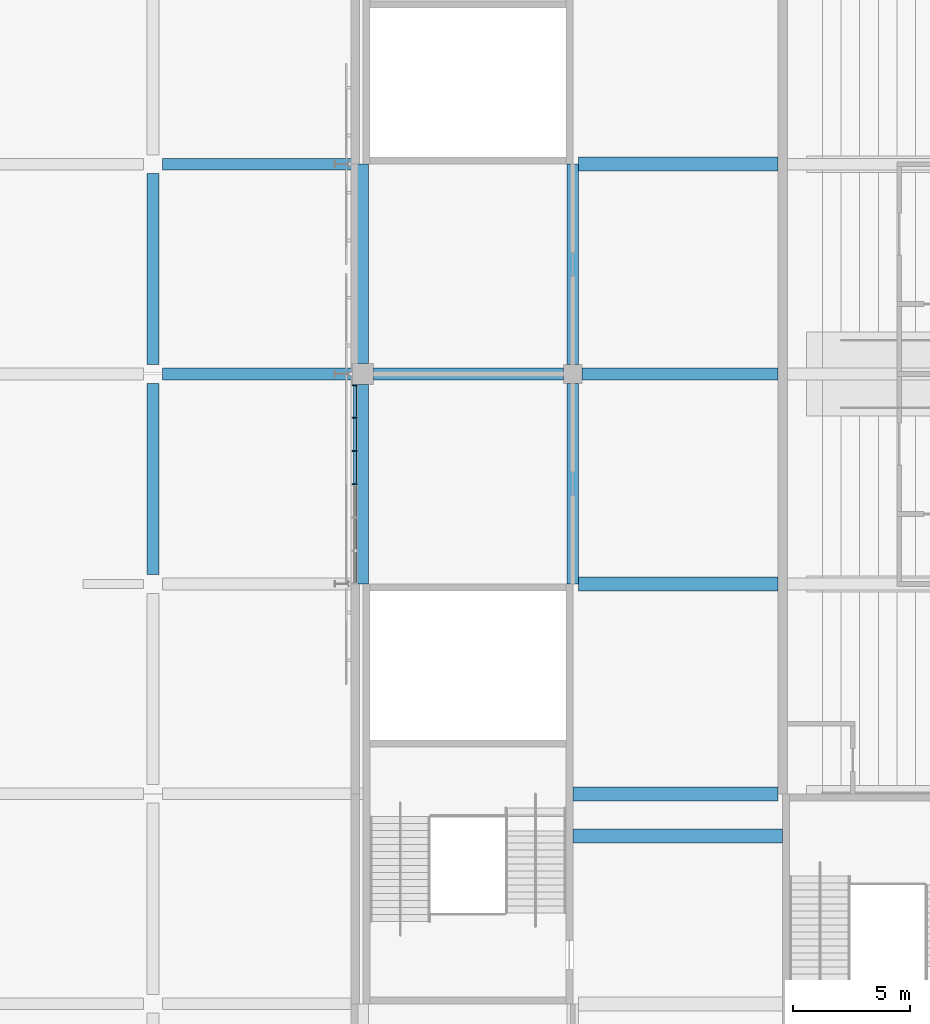
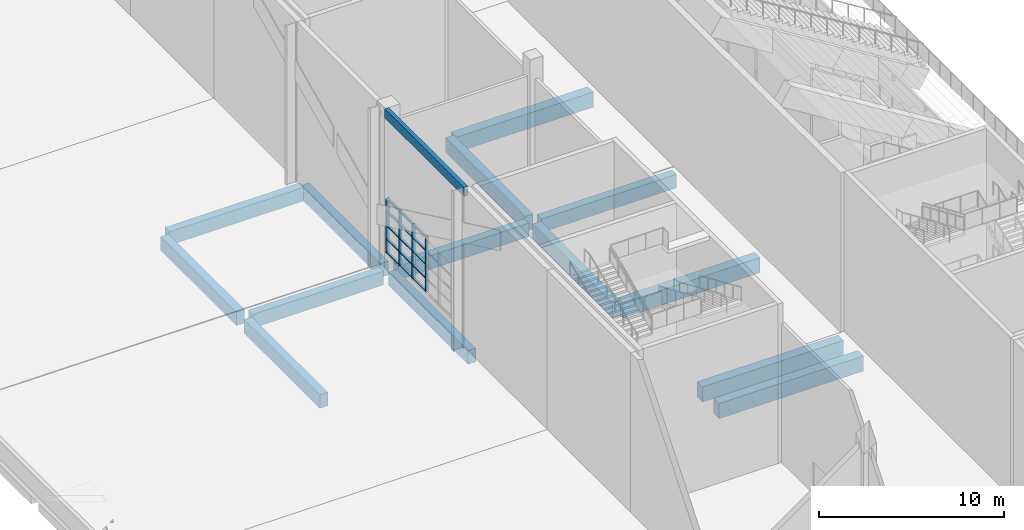
# One storey, part 28 of 182: 19 members, 15 beams, 1 element without a shape of its own.
"""IFC4 building model written with IfcOpenShell, lengths in metres."""

from ifc_helpers import new_model, si_unit, direction, frame, origin, origin_2d, place, context, subcontext, project, spatial, rectangle, extrude, material, material_profile, profile_set, type_object, element, aggregate, save


model = new_model("IFC4")

# Units and contexts
model_context = context("Model", 3, precision=1e-05, world=origin(), true_north=direction((0.0, 1.0)))
body_context = subcontext(model_context, "Body", "Model", "MODEL_VIEW")
ifc_project = project(units=[si_unit("LENGTHUNIT", "METRE"), si_unit("AREAUNIT", "SQUARE_METRE"), si_unit("VOLUMEUNIT", "CUBIC_METRE"), si_unit("PLANEANGLEUNIT", "RADIAN"), si_unit("MASSUNIT", "GRAM", prefix="KILO")], contexts=[model_context])

# Site, building, storey
site_placement = place(None, origin())
site = spatial("IfcSite", under=ifc_project, at=site_placement, CompositionType="ELEMENT")
building_placement = place(site_placement, origin())
building = spatial("IfcBuilding", under=site, at=building_placement, Name="Silverbay Arena", CompositionType="ELEMENT")
storey_placement = place(building_placement, frame((0.0, 0.0, 11.5)))
storey = spatial("IfcBuildingStorey", under=building, at=storey_placement, Name="L02", CompositionType="ELEMENT", Elevation=11.5)

# Curtain wall, members
ifc_material_1 = material(Name="Aluminium framed curtain wall", Category="aluminium")
curtain_wall_type = type_object("IfcCurtainWallType", Name="Curtain wall 8550 x 3600", PredefinedType="NOTDEFINED", material=ifc_material_1)
curtain_wall_placement = place(storey_placement, origin())
curtain_wall = element("IfcCurtainWall", 1, at=curtain_wall_placement, inside=storey, type_object=curtain_wall_type, Name="West curtain wall L02 bay 7", PredefinedType="NOTDEFINED")
ifc_material_2 = material(Name="Aluminium", Category="aluminium")
ifc_material_profile_1 = material_profile(ifc_material_2, rectangle(XDim=0.199951171875, YDim=0.06005859375, at=origin_2d()), Name="Mullion 60 x 200")
ifc_profile_set_1 = profile_set([ifc_material_profile_1], Name="Aluminium")
member_type_1 = type_object("IfcMemberType", Name="Mullion 60 x 200", PredefinedType="MULLION", material=ifc_profile_set_1)
member_1_placement = place(storey_placement, frame((53.64990234375, 80.52001953125, 1.0), z_axis=(0.0, 0.0, 1.0), x_axis=(1.0, 0.0, 0.0)))
member_1 = element("IfcMember", 2, at=member_1_placement, type_object=member_type_1, Name="CW10 mullion 1", PredefinedType="MULLION", context=body_context, shape_type="SweptSolid", body=[
    extrude(rectangle(XDim=0.199951171875, YDim=0.06005859375, at=origin_2d()), origin(), (0.0, 0.0, 1.0), 3.60009765625),
])
member_2_placement = place(storey_placement, frame((53.64990234375, 79.125, 1.0), z_axis=(0.0, 0.0, 1.0), x_axis=(1.0, 0.0, 0.0)))
member_2 = element("IfcMember", 3, at=member_2_placement, type_object=member_type_1, Name="CW10 mullion 2", PredefinedType="MULLION", context=body_context, shape_type="SweptSolid", body=[
    extrude(rectangle(XDim=0.199951171875, YDim=0.06005859375, at=origin_2d()), origin(), (0.0, 0.0, 1.0), 3.60009765625),
])
member_3_placement = place(storey_placement, frame((53.64990234375, 77.699951171875, 1.0), z_axis=(0.0, 0.0, 1.0), x_axis=(1.0, 0.0, 0.0)))
member_3 = element("IfcMember", 4, at=member_3_placement, type_object=member_type_1, Name="CW10 mullion 3", PredefinedType="MULLION", context=body_context, shape_type="SweptSolid", body=[
    extrude(rectangle(XDim=0.199951171875, YDim=0.06005859375, at=origin_2d()), origin(), (0.0, 0.0, 1.0), 3.60009765625),
])
member_4_placement = place(storey_placement, frame((53.64990234375, 76.27490234375, 1.0), z_axis=(0.0, 0.0, 1.0), x_axis=(1.0, 0.0, 0.0)))
member_4 = element("IfcMember", 5, at=member_4_placement, type_object=member_type_1, Name="CW10 mullion 4", PredefinedType="MULLION", context=body_context, shape_type="SweptSolid", body=[
    extrude(rectangle(XDim=0.199951171875, YDim=0.06005859375, at=origin_2d()), origin(), (0.0, 0.0, 1.0), 3.60009765625),
])

# Beams
ifc_material_3 = material(Name="Concrete Grade C45", Category="concrete")
ifc_material_profile_2 = material_profile(ifc_material_3, rectangle(XDim=0.5, YDim=1.0, at=origin_2d()), Name="RC 500x1000")
ifc_profile_set_2 = profile_set([ifc_material_profile_2], Name="Concrete Grade C45")
beam_type_1 = type_object("IfcBeamType", Name="RC beam 500x1000", PredefinedType="BEAM", material=ifc_profile_set_2)
for number, where, z_axis, x_axis, name in (
    (6, (63.0, 72.0, -0.85009765625), (0.0, 1.0, 0.0), (-1.0, 0.0, 0.0), "Floor beam L02 226"),
    (7, (63.0, 81.39990234375, -0.85009765625), (0.0, 1.0, 0.0), (-1.0, 0.0, 0.0), "Floor beam L02 227"),
):
    element("IfcBeam", number, at=place(storey_placement, frame(where, z_axis=z_axis, x_axis=x_axis)), inside=storey, type_object=beam_type_1, Name=name, PredefinedType="BEAM", context=body_context, shape_type="SweptSolid", body=[
        extrude(rectangle(XDim=0.5, YDim=1.0, at=origin_2d()), origin(), (0.0, 0.0, 1.0), 8.60009765625),
    ])
ifc_material_4 = material(Name="Concrete Grade C45", Category="concrete")
ifc_material_profile_3 = material_profile(ifc_material_4, rectangle(XDim=0.5, YDim=0.89990234375, at=origin_2d()), Name="RC 500x900")
ifc_profile_set_3 = profile_set([ifc_material_profile_3], Name="Concrete Grade C45")
beam_type_2 = type_object("IfcBeamType", Name="RC beam 500x900", PredefinedType="BEAM", material=ifc_profile_set_3)
for number, where, z_axis, x_axis, name in (
    (8, (45.39990234375, 81.0, -0.800048828125), (1.0, 0.0, 0.0), (0.0, 1.0, 0.0), "Floor beam L02 086"),
    (9, (54.449951171875, 81.0, -0.800048828125), (1.0, 0.0, 0.0), (0.0, 1.0, 0.0), "Floor beam L02 087"),
):
    element("IfcBeam", number, at=place(storey_placement, frame(where, z_axis=z_axis, x_axis=x_axis)), inside=storey, type_object=beam_type_2, Name=name, PredefinedType="BEAM", context=body_context, shape_type="SweptSolid", body=[
        extrude(rectangle(XDim=0.5, YDim=0.89990234375, at=origin_2d()), origin(), (0.0, 0.0, 1.0), 8.150146484375),
    ])
beam_1_placement = place(storey_placement, frame((63.39990234375, 81.0, -0.800048828125), z_axis=(1.0, 0.0, 0.0), x_axis=(0.0, 1.0, 0.0)))
element("IfcBeam", 10, at=beam_1_placement, inside=storey, type_object=beam_type_2, Name="Floor beam L02 088", PredefinedType="BEAM", context=body_context, shape_type="SweptSolid", body=[
    extrude(rectangle(XDim=0.5, YDim=0.89990234375, at=origin_2d()), origin(), (0.0, 0.0, 1.0), 8.400146484375),
])
beam_2_placement = place(storey_placement, frame((45.39990234375, 90.0, -0.800048828125), z_axis=(1.0, 0.0, 0.0), x_axis=(0.0, 1.0, 0.0)))
element("IfcBeam", 11, at=beam_2_placement, inside=storey, type_object=beam_type_2, Name="Floor beam L02 100", PredefinedType="BEAM", context=body_context, shape_type="SweptSolid", body=[
    extrude(rectangle(XDim=0.5, YDim=0.89990234375, at=origin_2d()), origin(), (0.0, 0.0, 1.0), 8.35009765625),
])
for number, where, z_axis, x_axis, name in (
    (12, (45.0, 72.39990234375, -0.800048828125), (0.0, 1.0, 0.0), (-1.0, 0.0, 0.0), "Floor beam L02 207"),
    (13, (45.0, 81.39990234375, -0.800048828125), (0.0, 1.0, 0.0), (-1.0, 0.0, 0.0), "Floor beam L02 208"),
):
    element("IfcBeam", number, at=place(storey_placement, frame(where, z_axis=z_axis, x_axis=x_axis)), inside=storey, type_object=beam_type_2, Name=name, PredefinedType="BEAM", context=body_context, shape_type="SweptSolid", body=[
        extrude(rectangle(XDim=0.5, YDim=0.89990234375, at=origin_2d()), origin(), (0.0, 0.0, 1.0), 8.2001953125),
    ])
for number, where, z_axis, x_axis, name in (
    (14, (54.0, 72.0, -0.800048828125), (0.0, 1.0, 0.0), (-1.0, 0.0, 0.0), "Floor beam L02 218"),
    (15, (54.0, 81.449951171875, -0.800048828125), (0.0, 1.0, 0.0), (-1.0, 0.0, 0.0), "Floor beam L02 219"),
):
    element("IfcBeam", number, at=place(storey_placement, frame(where, z_axis=z_axis, x_axis=x_axis)), inside=storey, type_object=beam_type_2, Name=name, PredefinedType="BEAM", context=body_context, shape_type="SweptSolid", body=[
        extrude(rectangle(XDim=0.5, YDim=0.89990234375, at=origin_2d()), origin(), (0.0, 0.0, 1.0), 8.550048828125),
    ])
ifc_material_5 = material(Name="Concrete Grade C45", Category="concrete")
ifc_material_profile_4 = material_profile(ifc_material_5, rectangle(XDim=0.60009765625, YDim=1.0, at=origin_2d()), Name="RC 600x1000")
ifc_profile_set_4 = profile_set([ifc_material_profile_4], Name="Concrete Grade C45")
beam_type_3 = type_object("IfcBeamType", Name="RC beam 600x1000", PredefinedType="BEAM", material=ifc_profile_set_4)
beam_3_placement = place(storey_placement, frame((63.0, 61.199951171875, -0.85009765625), z_axis=(1.0, 0.0, 0.0), x_axis=(0.0, 1.0, 0.0)))
element("IfcBeam", 16, at=beam_3_placement, inside=storey, type_object=beam_type_3, Name="Floor beam L02 058", PredefinedType="BEAM", context=body_context, shape_type="SweptSolid", body=[
    extrude(rectangle(XDim=0.60009765625, YDim=1.0, at=origin_2d()), origin(), (0.0, 0.0, 1.0), 9.0),
])
beam_4_placement = place(storey_placement, frame((63.0, 63.0, -0.85009765625), z_axis=(1.0, 0.0, 0.0), x_axis=(0.0, 1.0, 0.0)))
element("IfcBeam", 17, at=beam_4_placement, inside=storey, type_object=beam_type_3, Name="Floor beam L02 065", PredefinedType="BEAM", context=body_context, shape_type="SweptSolid", body=[
    extrude(rectangle(XDim=0.60009765625, YDim=1.0, at=origin_2d()), origin(), (0.0, 0.0, 1.0), 8.800048828125),
])
for number, where, z_axis, x_axis, name in (
    (18, (63.25, 72.0, -0.85009765625), (1.0, 0.0, 0.0), (0.0, 1.0, 0.0), "Floor beam L02 075"),
    (19, (63.25, 90.0, -0.85009765625), (1.0, 0.0, 0.0), (0.0, 1.0, 0.0), "Floor beam L02 101"),
):
    element("IfcBeam", number, at=place(storey_placement, frame(where, z_axis=z_axis, x_axis=x_axis)), inside=storey, type_object=beam_type_3, Name=name, PredefinedType="BEAM", context=body_context, shape_type="SweptSolid", body=[
        extrude(rectangle(XDim=0.60009765625, YDim=1.0, at=origin_2d()), origin(), (0.0, 0.0, 1.0), 8.550048828125),
    ])
ifc_material_6 = material(Name="Concrete Grade C45", Category="concrete")
ifc_material_profile_5 = material_profile(ifc_material_6, rectangle(XDim=0.25, YDim=0.60009765625, at=origin_2d()), Name="RC 250x600")
ifc_profile_set_5 = profile_set([ifc_material_profile_5], Name="Concrete Grade C45")
beam_type_4 = type_object("IfcBeamType", Name="RC facade beam 250x600", PredefinedType="SPANDREL", material=ifc_profile_set_5)
beam_5_placement = place(storey_placement, frame((53.625, 72.0, 10.199951171875), z_axis=(0.0, 1.0, 0.0), x_axis=(-1.0, 0.0, 0.0)))
element("IfcBeam", 20, at=beam_5_placement, inside=storey, type_object=beam_type_4, Name="Facade beam L02 west", PredefinedType="SPANDREL", context=body_context, shape_type="SweptSolid", body=[
    extrude(rectangle(XDim=0.25, YDim=0.60009765625, at=origin_2d()), origin(), (0.0, 0.0, 1.0), 8.550048828125),
])

# Member
ifc_material_7 = material(Name="Aluminium", Category="aluminium")
ifc_material_profile_6 = material_profile(ifc_material_7, rectangle(XDim=0.14990234375, YDim=0.050048828125, at=origin_2d()), Name="Transom 50 x 150")
ifc_profile_set_6 = profile_set([ifc_material_profile_6], Name="Aluminium")
member_type_2 = type_object("IfcMemberType", Name="Transom 50 x 150", PredefinedType="USERDEFINED", material=ifc_profile_set_6)
member_5_placement = place(storey_placement, frame((53.64990234375, 80.489990234375, 1.02490234375), z_axis=(0.0, -1.0, 0.0), x_axis=(1.0, 0.0, 0.0)))
member_5 = element("IfcMember", 21, at=member_5_placement, type_object=member_type_2, Name="CW10 transom 1.1", ObjectType="TRANSOM", PredefinedType="USERDEFINED", context=body_context, shape_type="SweptSolid", body=[
    extrude(rectangle(XDim=0.14990234375, YDim=0.050048828125, at=origin_2d()), origin(), (0.0, 0.0, 1.0), 1.3349609375),
])

member_6_placement = place(storey_placement, frame((53.64990234375, 80.489990234375, 1.89990234375), z_axis=(0.0, -1.0, 0.0), x_axis=(1.0, 0.0, 0.0)))
member_6 = element("IfcMember", 22, at=member_6_placement, type_object=member_type_2, Name="CW10 transom 1.2", ObjectType="TRANSOM", PredefinedType="USERDEFINED", context=body_context, shape_type="SweptSolid", body=[
    extrude(rectangle(XDim=0.14990234375, YDim=0.050048828125, at=origin_2d()), origin(), (0.0, 0.0, 1.0), 1.3349609375),
])

member_7_placement = place(storey_placement, frame((53.64990234375, 80.489990234375, 2.800048828125), z_axis=(0.0, -1.0, 0.0), x_axis=(1.0, 0.0, 0.0)))
member_7 = element("IfcMember", 23, at=member_7_placement, type_object=member_type_2, Name="CW10 transom 1.3", ObjectType="TRANSOM", PredefinedType="USERDEFINED", context=body_context, shape_type="SweptSolid", body=[
    extrude(rectangle(XDim=0.14990234375, YDim=0.050048828125, at=origin_2d()), origin(), (0.0, 0.0, 1.0), 1.3349609375),
])

member_8_placement = place(storey_placement, frame((53.64990234375, 80.489990234375, 3.699951171875), z_axis=(0.0, -1.0, 0.0), x_axis=(1.0, 0.0, 0.0)))
member_8 = element("IfcMember", 24, at=member_8_placement, type_object=member_type_2, Name="CW10 transom 1.4", ObjectType="TRANSOM", PredefinedType="USERDEFINED", context=body_context, shape_type="SweptSolid", body=[
    extrude(rectangle(XDim=0.14990234375, YDim=0.050048828125, at=origin_2d()), origin(), (0.0, 0.0, 1.0), 1.3349609375),
])

member_9_placement = place(storey_placement, frame((53.64990234375, 80.489990234375, 4.574951171875), z_axis=(0.0, -1.0, 0.0), x_axis=(1.0, 0.0, 0.0)))
member_9 = element("IfcMember", 25, at=member_9_placement, type_object=member_type_2, Name="CW10 transom 1.5", ObjectType="TRANSOM", PredefinedType="USERDEFINED", context=body_context, shape_type="SweptSolid", body=[
    extrude(rectangle(XDim=0.14990234375, YDim=0.050048828125, at=origin_2d()), origin(), (0.0, 0.0, 1.0), 1.3349609375),
])

member_10_placement = place(storey_placement, frame((53.64990234375, 79.094970703125, 1.02490234375), z_axis=(0.0, -1.0, 0.0), x_axis=(1.0, 0.0, 0.0)))
member_10 = element("IfcMember", 26, at=member_10_placement, type_object=member_type_2, Name="CW10 transom 2.1", ObjectType="TRANSOM", PredefinedType="USERDEFINED", context=body_context, shape_type="SweptSolid", body=[
    extrude(rectangle(XDim=0.14990234375, YDim=0.050048828125, at=origin_2d()), origin(), (0.0, 0.0, 1.0), 1.364990234375),
])

member_11_placement = place(storey_placement, frame((53.64990234375, 79.094970703125, 1.89990234375), z_axis=(0.0, -1.0, 0.0), x_axis=(1.0, 0.0, 0.0)))
member_11 = element("IfcMember", 27, at=member_11_placement, type_object=member_type_2, Name="CW10 transom 2.2", ObjectType="TRANSOM", PredefinedType="USERDEFINED", context=body_context, shape_type="SweptSolid", body=[
    extrude(rectangle(XDim=0.14990234375, YDim=0.050048828125, at=origin_2d()), origin(), (0.0, 0.0, 1.0), 1.364990234375),
])

member_12_placement = place(storey_placement, frame((53.64990234375, 79.094970703125, 2.800048828125), z_axis=(0.0, -1.0, 0.0), x_axis=(1.0, 0.0, 0.0)))
member_12 = element("IfcMember", 28, at=member_12_placement, type_object=member_type_2, Name="CW10 transom 2.3", ObjectType="TRANSOM", PredefinedType="USERDEFINED", context=body_context, shape_type="SweptSolid", body=[
    extrude(rectangle(XDim=0.14990234375, YDim=0.050048828125, at=origin_2d()), origin(), (0.0, 0.0, 1.0), 1.364990234375),
])

member_13_placement = place(storey_placement, frame((53.64990234375, 79.094970703125, 3.699951171875), z_axis=(0.0, -1.0, 0.0), x_axis=(1.0, 0.0, 0.0)))
member_13 = element("IfcMember", 29, at=member_13_placement, type_object=member_type_2, Name="CW10 transom 2.4", ObjectType="TRANSOM", PredefinedType="USERDEFINED", context=body_context, shape_type="SweptSolid", body=[
    extrude(rectangle(XDim=0.14990234375, YDim=0.050048828125, at=origin_2d()), origin(), (0.0, 0.0, 1.0), 1.364990234375),
])

member_14_placement = place(storey_placement, frame((53.64990234375, 79.094970703125, 4.574951171875), z_axis=(0.0, -1.0, 0.0), x_axis=(1.0, 0.0, 0.0)))
member_14 = element("IfcMember", 30, at=member_14_placement, type_object=member_type_2, Name="CW10 transom 2.5", ObjectType="TRANSOM", PredefinedType="USERDEFINED", context=body_context, shape_type="SweptSolid", body=[
    extrude(rectangle(XDim=0.14990234375, YDim=0.050048828125, at=origin_2d()), origin(), (0.0, 0.0, 1.0), 1.364990234375),
])

member_15_placement = place(storey_placement, frame((53.64990234375, 77.669921875, 1.02490234375), z_axis=(0.0, -1.0, 0.0), x_axis=(1.0, 0.0, 0.0)))
member_15 = element("IfcMember", 31, at=member_15_placement, type_object=member_type_2, Name="CW10 transom 3.1", ObjectType="TRANSOM", PredefinedType="USERDEFINED", context=body_context, shape_type="SweptSolid", body=[
    extrude(rectangle(XDim=0.14990234375, YDim=0.050048828125, at=origin_2d()), origin(), (0.0, 0.0, 1.0), 1.364990234375),
])

member_16_placement = place(storey_placement, frame((53.64990234375, 77.669921875, 1.89990234375), z_axis=(0.0, -1.0, 0.0), x_axis=(1.0, 0.0, 0.0)))
member_16 = element("IfcMember", 32, at=member_16_placement, type_object=member_type_2, Name="CW10 transom 3.2", ObjectType="TRANSOM", PredefinedType="USERDEFINED", context=body_context, shape_type="SweptSolid", body=[
    extrude(rectangle(XDim=0.14990234375, YDim=0.050048828125, at=origin_2d()), origin(), (0.0, 0.0, 1.0), 1.364990234375),
])

member_17_placement = place(storey_placement, frame((53.64990234375, 77.669921875, 2.800048828125), z_axis=(0.0, -1.0, 0.0), x_axis=(1.0, 0.0, 0.0)))
member_17 = element("IfcMember", 33, at=member_17_placement, type_object=member_type_2, Name="CW10 transom 3.3", ObjectType="TRANSOM", PredefinedType="USERDEFINED", context=body_context, shape_type="SweptSolid", body=[
    extrude(rectangle(XDim=0.14990234375, YDim=0.050048828125, at=origin_2d()), origin(), (0.0, 0.0, 1.0), 1.364990234375),
])

member_18_placement = place(storey_placement, frame((53.64990234375, 77.669921875, 3.699951171875), z_axis=(0.0, -1.0, 0.0), x_axis=(1.0, 0.0, 0.0)))
member_18 = element("IfcMember", 34, at=member_18_placement, type_object=member_type_2, Name="CW10 transom 3.4", ObjectType="TRANSOM", PredefinedType="USERDEFINED", context=body_context, shape_type="SweptSolid", body=[
    extrude(rectangle(XDim=0.14990234375, YDim=0.050048828125, at=origin_2d()), origin(), (0.0, 0.0, 1.0), 1.364990234375),
])

member_19_placement = place(storey_placement, frame((53.64990234375, 77.669921875, 4.574951171875), z_axis=(0.0, -1.0, 0.0), x_axis=(1.0, 0.0, 0.0)))
member_19 = element("IfcMember", 35, at=member_19_placement, type_object=member_type_2, Name="CW10 transom 3.5", ObjectType="TRANSOM", PredefinedType="USERDEFINED", context=body_context, shape_type="SweptSolid", body=[
    extrude(rectangle(XDim=0.14990234375, YDim=0.050048828125, at=origin_2d()), origin(), (0.0, 0.0, 1.0), 1.364990234375),
])

aggregate(curtain_wall, [member_1, member_2, member_3, member_4, member_5, member_6, member_7, member_8, member_9, member_10, member_11, member_12, member_13, member_14, member_15, member_16, member_17, member_18, member_19])

save(model, "model.ifc")
